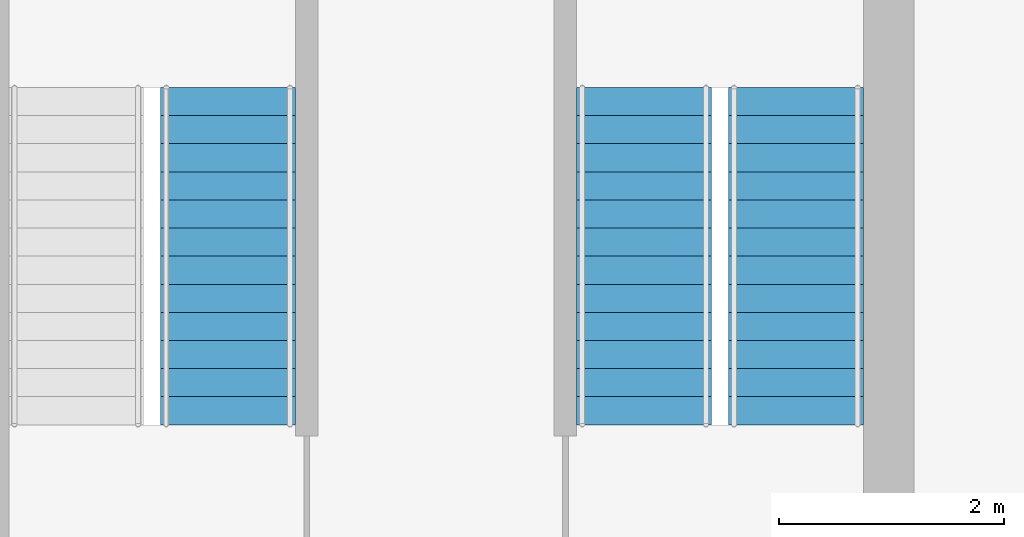
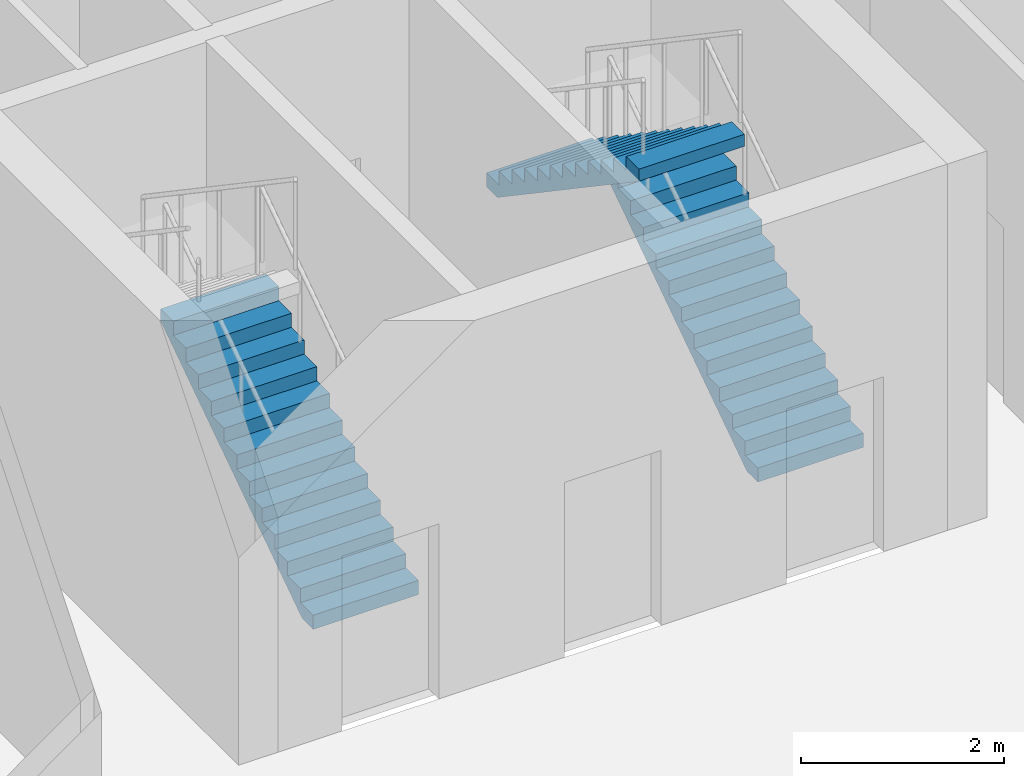
# One storey, part 16 of 19: 3 stair flights, 2 elements without a shape of their own.
"""IFC4 building model written with IfcOpenShell, lengths in metres."""

import ifcopenshell
import ifcopenshell.guid

model = None  # the IFC model being written
_history = None  # IfcOwnerHistory: only IFC2X3 demands one
_inside = {}  # id of a spatial element -> (the spatial element, [elements in it])
_under = {}  # id of a project, library or spatial element -> (it, [spatial elements below it])
_declared = {}  # id of a project -> (the project, [libraries it declares])
_typed = {}  # id of a type object -> (the type object, [elements of that type])
_made_of = {}  # id of a material, layer set ... -> (it, [elements and type objects made of it])


def new_model(schema):
    """Start an empty IFC model of exactly this schema.

    Asked for "IFC4X3", IfcOpenShell would pick the latest addendum, in which some entities
    have other attributes; the version numbers below select the first issue.
    IFC2X3 requires an IfcOwnerHistory on every rooted entity: one is made here for all.
    """
    global model, _history
    if schema == "IFC4X3":
        model = ifcopenshell.file(schema_version=(4, 3, 0, 0))
    else:
        model = ifcopenshell.file(schema=schema)
    _inside.clear()
    _under.clear()
    _declared.clear()
    _typed.clear()
    _made_of.clear()
    _history = None
    if model.schema == "IFC2X3":
        org = make("IfcOrganization", Name="unknown")
        user = make(
            "IfcPersonAndOrganization",
            ThePerson=make("IfcPerson", FamilyName="unknown"),
            TheOrganization=org,
        )
        app = make(
            "IfcApplication",
            ApplicationDeveloper=org,
            Version="unknown",
            ApplicationFullName="unknown",
            ApplicationIdentifier="unknown",
        )
        _history = make(
            "IfcOwnerHistory",
            OwningUser=user,
            OwningApplication=app,
            ChangeAction="ADDED",
            CreationDate=0,
        )
    return model


def make(cls, **values):
    """One entity of the class cls with the attributes given. An attribute that is None is left unset."""
    return model.create_entity(
        cls, **{name: value for name, value in values.items() if value is not None}
    )


def rooted(cls, **values):
    """An entity with a GlobalId (a new one), such as an element, a storey or a relation."""
    return make(cls, GlobalId=ifcopenshell.guid.new(), OwnerHistory=_history, **values)


def si_unit(unit_type, name, prefix=None):
    """IfcSIUnit, for example si_unit("LENGTHUNIT", "METRE", prefix="MILLI")."""
    return make("IfcSIUnit", UnitType=unit_type, Prefix=prefix, Name=name)


def assignment(units):
    """IfcUnitAssignment: the units of a project."""
    return None if units is None else make("IfcUnitAssignment", Units=units)


def point(xyz):
    """IfcCartesianPoint."""
    return None if xyz is None else make("IfcCartesianPoint", Coordinates=xyz)


def direction(xyz):
    """IfcDirection."""
    return None if xyz is None else make("IfcDirection", DirectionRatios=xyz)


def frame(location, z_axis=None, x_axis=None):
    """IfcAxis2Placement3D, a coordinate frame: its origin and axes. An axis left out is left unset."""
    return make(
        "IfcAxis2Placement3D",
        Location=point(location),
        Axis=direction(z_axis),
        RefDirection=direction(x_axis),
    )


def origin():
    """The frame at (0, 0, 0) with its axes left unset."""
    return frame((0.0, 0.0, 0.0))


def place(relative_to, where):
    """IfcLocalPlacement: puts the frame where relative to a parent placement (None: the world)."""
    return make(
        "IfcLocalPlacement", PlacementRelTo=relative_to, RelativePlacement=where
    )


def context(
    kind, dimensions, precision=None, world=None, true_north=None, identifier=None
):
    """IfcGeometricRepresentationContext, for example the 3D "Model" context."""
    return make(
        "IfcGeometricRepresentationContext",
        ContextIdentifier=identifier,
        ContextType=kind,
        CoordinateSpaceDimension=dimensions,
        Precision=precision,
        WorldCoordinateSystem=world,
        TrueNorth=true_north,
    )


def subcontext(parent, identifier, kind, view, scale=None):
    """IfcGeometricRepresentationSubContext, for example "Body" below "Model"."""
    return make(
        "IfcGeometricRepresentationSubContext",
        ContextIdentifier=identifier,
        ContextType=kind,
        ParentContext=parent,
        TargetScale=scale,
        TargetView=view,
    )


def project(units=None, contexts=None):
    """IfcProject with its units and contexts."""
    return rooted(
        "IfcProject",
        Name="project",
        RepresentationContexts=contexts,
        UnitsInContext=assignment(units),
    )


def spatial(cls, under=None, at=None, **own):
    """A site, building, storey or space (cls), placed at a placement, below another one or the project."""
    s = rooted(cls, ObjectPlacement=at, **own)
    if under is not None:
        _under.setdefault(under.id(), (under, []))[1].append(s)
    return s


def polyline(points):
    """IfcPolyline through the points."""
    return make("IfcPolyline", Points=[point(p) for p in points])


def outline(outer, holes=None, kind="AREA"):
    """IfcArbitraryClosedProfileDef: a profile drawn as a closed curve; with holes, ...WithVoids."""
    if holes is None:
        return make("IfcArbitraryClosedProfileDef", ProfileType=kind, OuterCurve=outer)
    return make(
        "IfcArbitraryProfileDefWithVoids",
        ProfileType=kind,
        OuterCurve=outer,
        InnerCurves=holes,
    )


def extrude(swept, where, along, depth):
    """IfcExtrudedAreaSolid: the profile swept, set in the frame where, extruded along a direction by depth."""
    return make(
        "IfcExtrudedAreaSolid",
        SweptArea=swept,
        Position=where,
        ExtrudedDirection=direction(along),
        Depth=depth,
    )


def shape(context_of_items, identifier, shape_type, items):
    """IfcShapeRepresentation: the items that make up one representation, for example the "Body"."""
    return make(
        "IfcShapeRepresentation",
        ContextOfItems=context_of_items,
        RepresentationIdentifier=identifier,
        RepresentationType=shape_type,
        Items=items,
    )


def material(Name=None, Category=None):
    """IfcMaterial."""
    return make("IfcMaterial", Name=Name, Category=Category)


def made_of(thing, what):
    """Note that an element or type object is made of a material, layer set ...; save() writes the relation."""
    if what is not None:
        _made_of.setdefault(what.id(), (what, []))[1].append(thing)
    return thing


def type_object(cls, material=None, **own):
    """A type object (cls), such as IfcWallType, which elements share."""
    return made_of(rooted(cls, **own), material)


def element(
    cls,
    number,
    at=None,
    inside=None,
    cuts=None,
    type_object=None,
    material=None,
    context=None,
    identifier="Body",
    shape_type=None,
    held_by="IfcProductDefinitionShape",
    body=None,
    shapes=None,
    **own,
):
    """One element of the class cls, such as IfcWall. Its Tag is "e" and its number.

    at: its placement. inside: the storey or other place that contains it. cuts: it is an
    opening in that element (IfcRelVoidsElement). A single representation is given by context,
    identifier, shape_type and body (its items); several are given by shapes. held_by: the class
    of the entity that holds the representations. save() writes the other relations.
    """
    e = rooted(cls, Tag="e%d" % number, ObjectPlacement=at, **own)
    if body is not None:
        shapes = [shape(context, identifier, shape_type, body)]
    if shapes is not None:
        e.Representation = make(held_by, Representations=shapes)
    if inside is not None:
        _inside.setdefault(inside.id(), (inside, []))[1].append(e)
    if cuts is not None:
        rooted(
            "IfcRelVoidsElement", RelatingBuildingElement=cuts, RelatedOpeningElement=e
        )
    if type_object is not None:
        _typed.setdefault(type_object.id(), (type_object, []))[1].append(e)
    return made_of(e, material)


def aggregate(whole, parts):
    """IfcRelAggregates: a whole, such as a stair, and the parts it consists of."""
    return rooted("IfcRelAggregates", RelatingObject=whole, RelatedObjects=parts)


def save(model, path):
    """Write the relations noted so far, then the file.

    IfcRelAggregates (storeys below a building ...), IfcRelContainedInSpatialStructure (elements
    in a storey), IfcRelDefinesByType, IfcRelAssociatesMaterial and IfcRelDeclares: one each for
    every whole, place, type object, material and project.
    """
    for whole, parts in _under.values():
        aggregate(whole, parts)
    for where, things in _inside.values():
        rooted(
            "IfcRelContainedInSpatialStructure",
            RelatedElements=things,
            RelatingStructure=where,
        )
    for kind, things in _typed.values():
        rooted("IfcRelDefinesByType", RelatedObjects=things, RelatingType=kind)
    for what, things in _made_of.values():
        rooted("IfcRelAssociatesMaterial", RelatedObjects=things, RelatingMaterial=what)
    for by, libraries in _declared.values():
        rooted("IfcRelDeclares", RelatingContext=by, RelatedDefinitions=libraries)
    model.write(path)


model = new_model("IFC4")

# Units and contexts
model_context = context("Model", 3, precision=1e-05, world=origin(), true_north=direction((0.0, 1.0)))
body_context = subcontext(model_context, "Body", "Model", "MODEL_VIEW")
ifc_project = project(units=[si_unit("LENGTHUNIT", "METRE"), si_unit("AREAUNIT", "SQUARE_METRE"), si_unit("VOLUMEUNIT", "CUBIC_METRE"), si_unit("PLANEANGLEUNIT", "RADIAN"), si_unit("MASSUNIT", "GRAM", prefix="KILO")], contexts=[model_context])

# Site, building, storey
site_placement = place(None, origin())
site = spatial("IfcSite", under=ifc_project, at=site_placement, CompositionType="ELEMENT")
building_placement = place(site_placement, origin())
building = spatial("IfcBuilding", under=site, at=building_placement, Name="Girih Gate Residences", CompositionType="ELEMENT")
storey_placement = place(building_placement, frame((0.0, 0.0, 163.800048828125)))
storey = spatial("IfcBuildingStorey", under=building, at=storey_placement, Name="L45", CompositionType="ELEMENT", Elevation=163.800048828125)

# Stair, stair flights
ifc_material = material(Name="Concrete C40/50", Category="concrete")
stair_type = type_object("IfcStairType", Name="Exit stair", PredefinedType="HALF_TURN_STAIR", material=ifc_material)
stair_1_placement = place(storey_placement, origin())
stair_1 = element("IfcStair", 1, at=stair_1_placement, inside=storey, type_object=stair_type, Name="L45 Exit Stair ST-E1", PredefinedType="HALF_TURN_STAIR")
stair_flight_type = type_object("IfcStairFlightType", Name="Stair flight 1200", PredefinedType="STRAIGHT", material=ifc_material)
stair_flight_1_placement = place(storey_placement, frame((43.699951171875, 28.89990234375, 0.0), z_axis=(0.0, 0.0, 1.0), x_axis=(0.0, 1.0, 0.0)))
stair_flight_1 = element("IfcStairFlight", 2, at=stair_flight_1_placement, type_object=stair_flight_type, Name="ST-E1 flight 1", NumberOfRisers=13, NumberOfTreads=12, PredefinedType="STRAIGHT", RiserHeight=0.169230769, TreadLength=0.25, context=body_context, shape_type="SweptSolid", body=[
    extrude(outline(polyline([(0.0, 0.0), (0.0, 0.169189453125), (0.25, 0.169189453125), (0.25, 0.33837890625), (0.5, 0.33837890625), (0.5, 0.5078125), (0.75, 0.5078125), (0.75, 0.677001953125), (1.0, 0.677001953125), (1.0, 0.84619140625), (1.25, 0.84619140625), (1.25, 1.015380859375), (1.5, 1.015380859375), (1.5, 1.1845703125), (1.75, 1.1845703125), (1.75, 1.353759765625), (2.0, 1.353759765625), (2.0, 1.523193359375), (2.25, 1.523193359375), (2.25, 1.6923828125), (2.5, 1.6923828125), (2.5, 1.861572265625), (2.75, 1.861572265625), (2.75, 2.03076171875), (3.0, 2.03076171875), (3.0, 2.199951171875), (3.0, 1.8857421875), (0.21435546875, 0.0), (0.0, 0.0)])), frame((0.0, 0.60009765625, 0.0), z_axis=(0.0, -1.0, 0.0), x_axis=(1.0, 0.0, 0.0)), (0.0, 0.0, 1.0), 1.199951171875),
])
stair_flight_2_placement = place(storey_placement, frame((42.35009765625, 31.89990234375, 2.199951171875), z_axis=(0.0, 0.0, 1.0), x_axis=(0.0, -1.0, 0.0)))
stair_flight_2 = element("IfcStairFlight", 3, at=stair_flight_2_placement, type_object=stair_flight_type, Name="ST-E1 flight 2", NumberOfRisers=13, NumberOfTreads=12, PredefinedType="STRAIGHT", RiserHeight=0.169230769, TreadLength=0.25, context=body_context, shape_type="SweptSolid", body=[
    extrude(outline(polyline([(0.0, 0.0), (0.0, 0.169189453125), (0.25, 0.169189453125), (0.25, 0.33837890625), (0.5, 0.33837890625), (0.5, 0.5078125), (0.75, 0.5078125), (0.75, 0.677001953125), (1.0, 0.677001953125), (1.0, 0.84619140625), (1.25, 0.84619140625), (1.25, 1.015380859375), (1.5, 1.015380859375), (1.5, 1.1845703125), (1.75, 1.1845703125), (1.75, 1.353759765625), (2.0, 1.353759765625), (2.0, 1.523193359375), (2.25, 1.523193359375), (2.25, 1.6923828125), (2.5, 1.6923828125), (2.5, 1.861572265625), (2.75, 1.861572265625), (2.75, 2.03076171875), (3.0, 2.03076171875), (3.0, 2.199951171875), (3.0, 1.8857421875), (0.21435546875, 0.0), (0.0, 0.0)])), frame((0.0, 0.60009765625, 0.0), z_axis=(0.0, -1.0, 0.0), x_axis=(1.0, 0.0, 0.0)), (0.0, 0.0, 1.0), 1.199951171875),
])
aggregate(stair_1, [stair_flight_1, stair_flight_2])

# Stair, stair flight
stair_2_placement = place(storey_placement, origin())
stair_2 = element("IfcStair", 4, at=stair_2_placement, inside=storey, type_object=stair_type, Name="L45 Exit Stair ST-E2", PredefinedType="HALF_TURN_STAIR")
stair_flight_3_placement = place(storey_placement, frame((38.64990234375, 28.89990234375, 0.0), z_axis=(0.0, 0.0, 1.0), x_axis=(0.0, 1.0, 0.0)))
stair_flight_3 = element("IfcStairFlight", 5, at=stair_flight_3_placement, type_object=stair_flight_type, Name="ST-E2 flight 1", NumberOfRisers=13, NumberOfTreads=12, PredefinedType="STRAIGHT", RiserHeight=0.169230769, TreadLength=0.25, context=body_context, shape_type="SweptSolid", body=[
    extrude(outline(polyline([(0.0, 0.0), (0.0, 0.169189453125), (0.25, 0.169189453125), (0.25, 0.33837890625), (0.5, 0.33837890625), (0.5, 0.5078125), (0.75, 0.5078125), (0.75, 0.677001953125), (1.0, 0.677001953125), (1.0, 0.84619140625), (1.25, 0.84619140625), (1.25, 1.015380859375), (1.5, 1.015380859375), (1.5, 1.1845703125), (1.75, 1.1845703125), (1.75, 1.353759765625), (2.0, 1.353759765625), (2.0, 1.523193359375), (2.25, 1.523193359375), (2.25, 1.6923828125), (2.5, 1.6923828125), (2.5, 1.861572265625), (2.75, 1.861572265625), (2.75, 2.03076171875), (3.0, 2.03076171875), (3.0, 2.199951171875), (3.0, 1.8857421875), (0.21435546875, 0.0), (0.0, 0.0)])), frame((0.0, 0.60009765625, 0.0), z_axis=(0.0, -1.0, 0.0), x_axis=(1.0, 0.0, 0.0)), (0.0, 0.0, 1.0), 1.199951171875),
])
aggregate(stair_2, [stair_flight_3])

save(model, "model.ifc")
